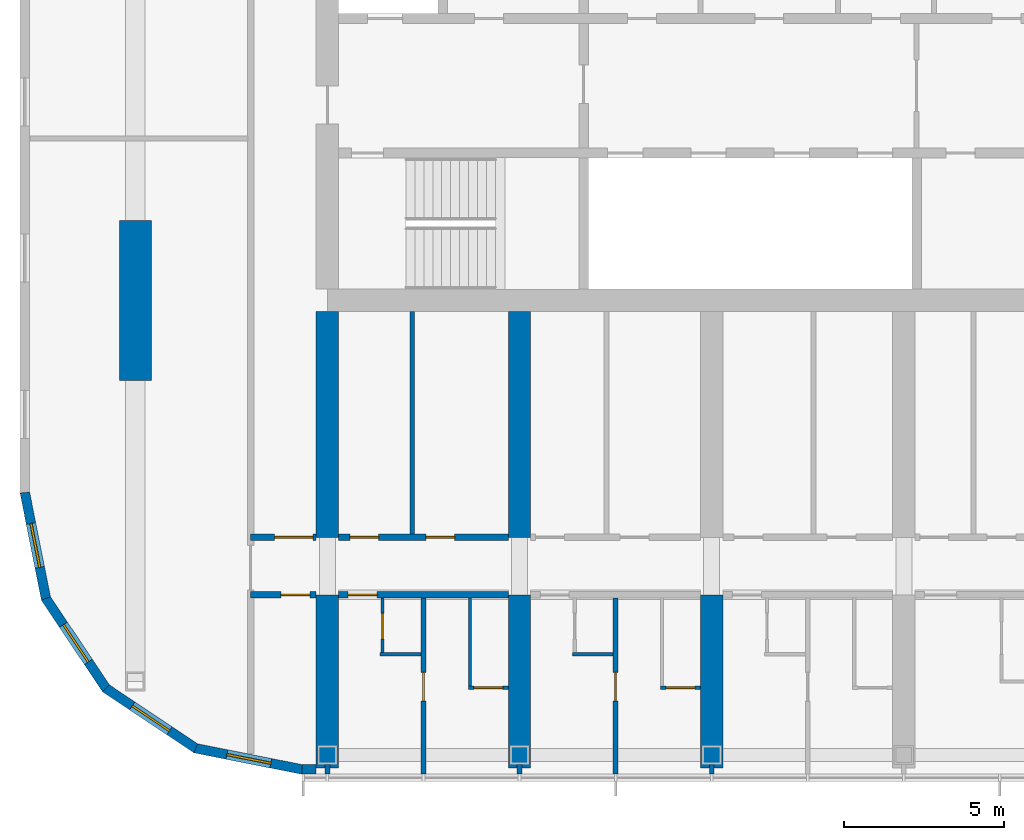
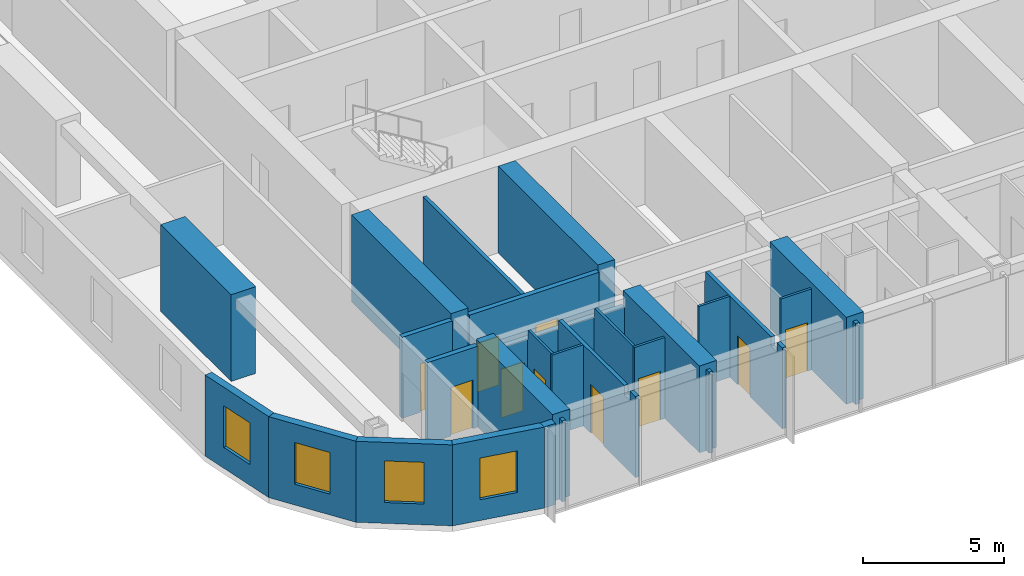
# One storey, part 10 of 24: 27 walls, 10 doors, 4 windows, 14 openings.
"""IFC4 building model written with IfcOpenShell, lengths in metres."""

import ifcopenshell
import ifcopenshell.guid

model = None  # the IFC model being written
_history = None  # IfcOwnerHistory: only IFC2X3 demands one
_inside = {}  # id of a spatial element -> (the spatial element, [elements in it])
_under = {}  # id of a project, library or spatial element -> (it, [spatial elements below it])
_declared = {}  # id of a project -> (the project, [libraries it declares])
_typed = {}  # id of a type object -> (the type object, [elements of that type])
_made_of = {}  # id of a material, layer set ... -> (it, [elements and type objects made of it])


def new_model(schema):
    """Start an empty IFC model of exactly this schema.

    Asked for "IFC4X3", IfcOpenShell would pick the latest addendum, in which some entities
    have other attributes; the version numbers below select the first issue.
    IFC2X3 requires an IfcOwnerHistory on every rooted entity: one is made here for all.
    """
    global model, _history
    if schema == "IFC4X3":
        model = ifcopenshell.file(schema_version=(4, 3, 0, 0))
    else:
        model = ifcopenshell.file(schema=schema)
    _inside.clear()
    _under.clear()
    _declared.clear()
    _typed.clear()
    _made_of.clear()
    _history = None
    if model.schema == "IFC2X3":
        org = make("IfcOrganization", Name="unknown")
        user = make(
            "IfcPersonAndOrganization",
            ThePerson=make("IfcPerson", FamilyName="unknown"),
            TheOrganization=org,
        )
        app = make(
            "IfcApplication",
            ApplicationDeveloper=org,
            Version="unknown",
            ApplicationFullName="unknown",
            ApplicationIdentifier="unknown",
        )
        _history = make(
            "IfcOwnerHistory",
            OwningUser=user,
            OwningApplication=app,
            ChangeAction="ADDED",
            CreationDate=0,
        )
    return model


def make(cls, **values):
    """One entity of the class cls with the attributes given. An attribute that is None is left unset."""
    return model.create_entity(
        cls, **{name: value for name, value in values.items() if value is not None}
    )


def rooted(cls, **values):
    """An entity with a GlobalId (a new one), such as an element, a storey or a relation."""
    return make(cls, GlobalId=ifcopenshell.guid.new(), OwnerHistory=_history, **values)


def si_unit(unit_type, name, prefix=None):
    """IfcSIUnit, for example si_unit("LENGTHUNIT", "METRE", prefix="MILLI")."""
    return make("IfcSIUnit", UnitType=unit_type, Prefix=prefix, Name=name)


def assignment(units):
    """IfcUnitAssignment: the units of a project."""
    return None if units is None else make("IfcUnitAssignment", Units=units)


def point(xyz):
    """IfcCartesianPoint."""
    return None if xyz is None else make("IfcCartesianPoint", Coordinates=xyz)


def direction(xyz):
    """IfcDirection."""
    return None if xyz is None else make("IfcDirection", DirectionRatios=xyz)


def frame(location, z_axis=None, x_axis=None):
    """IfcAxis2Placement3D, a coordinate frame: its origin and axes. An axis left out is left unset."""
    return make(
        "IfcAxis2Placement3D",
        Location=point(location),
        Axis=direction(z_axis),
        RefDirection=direction(x_axis),
    )


def frame_2d(location, x_axis=None):
    """IfcAxis2Placement2D, a coordinate frame in the plane: its origin and x axis."""
    return make(
        "IfcAxis2Placement2D", Location=point(location), RefDirection=direction(x_axis)
    )


def origin():
    """The frame at (0, 0, 0) with its axes left unset."""
    return frame((0.0, 0.0, 0.0))


def place(relative_to, where):
    """IfcLocalPlacement: puts the frame where relative to a parent placement (None: the world)."""
    return make(
        "IfcLocalPlacement", PlacementRelTo=relative_to, RelativePlacement=where
    )


def context(
    kind, dimensions, precision=None, world=None, true_north=None, identifier=None
):
    """IfcGeometricRepresentationContext, for example the 3D "Model" context."""
    return make(
        "IfcGeometricRepresentationContext",
        ContextIdentifier=identifier,
        ContextType=kind,
        CoordinateSpaceDimension=dimensions,
        Precision=precision,
        WorldCoordinateSystem=world,
        TrueNorth=true_north,
    )


def subcontext(parent, identifier, kind, view, scale=None):
    """IfcGeometricRepresentationSubContext, for example "Body" below "Model"."""
    return make(
        "IfcGeometricRepresentationSubContext",
        ContextIdentifier=identifier,
        ContextType=kind,
        ParentContext=parent,
        TargetScale=scale,
        TargetView=view,
    )


def project(units=None, contexts=None):
    """IfcProject with its units and contexts."""
    return rooted(
        "IfcProject",
        Name="project",
        RepresentationContexts=contexts,
        UnitsInContext=assignment(units),
    )


def spatial(cls, under=None, at=None, **own):
    """A site, building, storey or space (cls), placed at a placement, below another one or the project."""
    s = rooted(cls, ObjectPlacement=at, **own)
    if under is not None:
        _under.setdefault(under.id(), (under, []))[1].append(s)
    return s


def polyline(points):
    """IfcPolyline through the points."""
    return make("IfcPolyline", Points=[point(p) for p in points])


def profile(cls, at=None, kind="AREA", **sizes):
    """A parametric profile (cls). Its sizes go by their IFC names, for example OverallWidth=200.0."""
    return make(cls, ProfileType=kind, Position=at, **sizes)


def rectangle(**sizes):
    """IfcRectangleProfileDef."""
    return profile("IfcRectangleProfileDef", **sizes)


def outline(outer, holes=None, kind="AREA"):
    """IfcArbitraryClosedProfileDef: a profile drawn as a closed curve; with holes, ...WithVoids."""
    if holes is None:
        return make("IfcArbitraryClosedProfileDef", ProfileType=kind, OuterCurve=outer)
    return make(
        "IfcArbitraryProfileDefWithVoids",
        ProfileType=kind,
        OuterCurve=outer,
        InnerCurves=holes,
    )


def extrude(swept, where, along, depth):
    """IfcExtrudedAreaSolid: the profile swept, set in the frame where, extruded along a direction by depth."""
    return make(
        "IfcExtrudedAreaSolid",
        SweptArea=swept,
        Position=where,
        ExtrudedDirection=direction(along),
        Depth=depth,
    )


def shape(context_of_items, identifier, shape_type, items):
    """IfcShapeRepresentation: the items that make up one representation, for example the "Body"."""
    return make(
        "IfcShapeRepresentation",
        ContextOfItems=context_of_items,
        RepresentationIdentifier=identifier,
        RepresentationType=shape_type,
        Items=items,
    )


def material(Name=None, Category=None):
    """IfcMaterial."""
    return make("IfcMaterial", Name=Name, Category=Category)


def layer(
    of_material, thickness, ventilated=None, Name=None, Category=None, Priority=None
):
    """IfcMaterialLayer: one layer of a wall or slab, of a material (None: an air gap)."""
    return make(
        "IfcMaterialLayer",
        Material=of_material,
        LayerThickness=thickness,
        IsVentilated=ventilated,
        Name=Name,
        Category=Category,
        Priority=Priority,
    )


def layer_set(layers, Name=None):
    """IfcMaterialLayerSet."""
    return make("IfcMaterialLayerSet", MaterialLayers=layers, LayerSetName=Name)


def made_of(thing, what):
    """Note that an element or type object is made of a material, layer set ...; save() writes the relation."""
    if what is not None:
        _made_of.setdefault(what.id(), (what, []))[1].append(thing)
    return thing


def type_object(cls, material=None, **own):
    """A type object (cls), such as IfcWallType, which elements share."""
    return made_of(rooted(cls, **own), material)


def element(
    cls,
    number,
    at=None,
    inside=None,
    cuts=None,
    type_object=None,
    material=None,
    context=None,
    identifier="Body",
    shape_type=None,
    held_by="IfcProductDefinitionShape",
    body=None,
    shapes=None,
    **own,
):
    """One element of the class cls, such as IfcWall. Its Tag is "e" and its number.

    at: its placement. inside: the storey or other place that contains it. cuts: it is an
    opening in that element (IfcRelVoidsElement). A single representation is given by context,
    identifier, shape_type and body (its items); several are given by shapes. held_by: the class
    of the entity that holds the representations. save() writes the other relations.
    """
    e = rooted(cls, Tag="e%d" % number, ObjectPlacement=at, **own)
    if body is not None:
        shapes = [shape(context, identifier, shape_type, body)]
    if shapes is not None:
        e.Representation = make(held_by, Representations=shapes)
    if inside is not None:
        _inside.setdefault(inside.id(), (inside, []))[1].append(e)
    if cuts is not None:
        rooted(
            "IfcRelVoidsElement", RelatingBuildingElement=cuts, RelatedOpeningElement=e
        )
    if type_object is not None:
        _typed.setdefault(type_object.id(), (type_object, []))[1].append(e)
    return made_of(e, material)


def fill(opening, filler):
    """IfcRelFillsElement: the door or window that sits in an opening."""
    return rooted(
        "IfcRelFillsElement",
        RelatingOpeningElement=opening,
        RelatedBuildingElement=filler,
    )


def aggregate(whole, parts):
    """IfcRelAggregates: a whole, such as a stair, and the parts it consists of."""
    return rooted("IfcRelAggregates", RelatingObject=whole, RelatedObjects=parts)


def save(model, path):
    """Write the relations noted so far, then the file.

    IfcRelAggregates (storeys below a building ...), IfcRelContainedInSpatialStructure (elements
    in a storey), IfcRelDefinesByType, IfcRelAssociatesMaterial and IfcRelDeclares: one each for
    every whole, place, type object, material and project.
    """
    for whole, parts in _under.values():
        aggregate(whole, parts)
    for where, things in _inside.values():
        rooted(
            "IfcRelContainedInSpatialStructure",
            RelatedElements=things,
            RelatingStructure=where,
        )
    for kind, things in _typed.values():
        rooted("IfcRelDefinesByType", RelatedObjects=things, RelatingType=kind)
    for what, things in _made_of.values():
        rooted("IfcRelAssociatesMaterial", RelatedObjects=things, RelatingMaterial=what)
    for by, libraries in _declared.values():
        rooted("IfcRelDeclares", RelatingContext=by, RelatedDefinitions=libraries)
    model.write(path)


model = new_model("IFC4")

# Units and contexts
model_context = context("Model", 3, precision=1e-05, world=origin(), true_north=direction((0.0, 1.0)))
body_context = subcontext(model_context, "Body", "Model", "MODEL_VIEW")
ifc_project = project(units=[si_unit("LENGTHUNIT", "METRE"), si_unit("AREAUNIT", "SQUARE_METRE"), si_unit("VOLUMEUNIT", "CUBIC_METRE"), si_unit("PLANEANGLEUNIT", "RADIAN"), si_unit("MASSUNIT", "GRAM", prefix="KILO")], contexts=[model_context])

# Site, building, storey
site_placement = place(None, origin())
site = spatial("IfcSite", under=ifc_project, at=site_placement, CompositionType="ELEMENT")
building_placement = place(site_placement, origin())
building = spatial("IfcBuilding", under=site, at=building_placement, Name="Orbita Commons", CompositionType="ELEMENT")
storey_placement = place(building_placement, frame((0.0, 0.0, 235.300048828125)))
storey = spatial("IfcBuildingStorey", under=building, at=storey_placement, Name="L58", CompositionType="ELEMENT", Elevation=235.300048828125)

# Wall, opening, door
ifc_material_1 = material(Name="Concrete blockwork", Category="masonry")
ifc_layer_1 = layer(ifc_material_1, 0.199951171875)
ifc_layer_set_1 = layer_set([ifc_layer_1], Name="Concrete blockwork")
wall_type_1 = type_object("IfcWallType", Name="Corridor wall 200 blockwork", PredefinedType="SOLIDWALL", material=ifc_layer_set_1)
wall_1_placement = place(storey_placement, frame((15.60009765625, 16.60009765625, 0.0), z_axis=(0.0, 0.0, 1.0), x_axis=(1.0, 0.0, 0.0)))
wall_1 = element("IfcWall", 1, at=wall_1_placement, inside=storey, type_object=wall_type_1, Name="Corridor wall 200 blockwork L58", PredefinedType="SOLIDWALL", context=body_context, shape_type="SweptSolid", body=[
    extrude(rectangle(XDim=2.0498046875, YDim=0.199951171875, at=frame_2d((1.02490234375, 0.0))), origin(), (0.0, 0.0, 1.0), 3.5),
])
opening_1_placement = place(wall_1_placement, frame((0.949951171875, 0.0, 0.0)))
opening_1 = element("IfcOpeningElement", 2, at=opening_1_placement, cuts=wall_1, Name="Opening D05", PredefinedType="OPENING", context=body_context, shape_type="SweptSolid", body=[
    extrude(rectangle(XDim=0.89990234375, YDim=2.10009765625, at=frame_2d((0.449951171875, 1.050048828125))), frame((0.0, 0.10986328125, 0.0), z_axis=(0.0, -1.0, 0.0), x_axis=(1.0, 0.0, 0.0)), (0.0, 0.0, 1.0), 0.219970703125),
])
ifc_material_2 = material(Name="Steel-faced fire door leaf", Category="steel")
door_type_1 = type_object("IfcDoorType", Name="Service door 20 min 900x2100", OperationType="SINGLE_SWING_LEFT", PredefinedType="DOOR", material=ifc_material_2)
door_1_placement = place(opening_1_placement, origin())
door_1 = element("IfcDoor", 3, at=door_1_placement, inside=storey, type_object=door_type_1, Name="Linen store L58-KWS door", OperationType="SINGLE_SWING_LEFT", OverallHeight=2.10009765625, OverallWidth=0.89990234375, PredefinedType="DOOR", context=body_context, shape_type="SweptSolid", body=[
    extrude(rectangle(XDim=0.89990234375, YDim=2.10009765625, at=frame_2d((0.449951171875, 1.050048828125))), frame((0.0, 0.02490234375, 0.0), z_axis=(0.0, -1.0, 0.0), x_axis=(1.0, 0.0, 0.0)), (0.0, 0.0, 1.0), 0.050048828125),
])
fill(opening_1, door_1)

wall_2_placement = place(storey_placement, frame((18.35009765625, 16.60009765625, 0.0), z_axis=(0.0, 0.0, 1.0), x_axis=(1.0, 0.0, 0.0)))
wall_2 = element("IfcWall", 4, at=wall_2_placement, inside=storey, type_object=wall_type_1, Name="Corridor wall 200 blockwork L58", PredefinedType="SOLIDWALL", context=body_context, shape_type="SweptSolid", body=[
    extrude(outline(polyline([(0.0, 0.0), (5.2998046875, 0.0), (5.300048828125, 3.099853515625), (0.0, 3.099853515625), (0.0, 0.0)])), frame((0.0, 0.10009765625, 0.0), z_axis=(0.0, -1.0, 0.0), x_axis=(1.0, 0.0, 0.0)), (0.0, 0.0, 1.0), 0.199951171875),
])
opening_2_placement = place(wall_2_placement, frame((0.300048828125, 0.0, 0.0)))
opening_2 = element("IfcOpeningElement", 5, at=opening_2_placement, cuts=wall_2, Name="Opening D11", PredefinedType="OPENING", context=body_context, shape_type="SweptSolid", body=[
    extrude(rectangle(XDim=0.89990234375, YDim=2.10009765625, at=frame_2d((0.449951171875, 1.050048828125))), frame((0.0, 0.10986328125, 0.0), z_axis=(0.0, -1.0, 0.0), x_axis=(1.0, 0.0, 0.0)), (0.0, 0.0, 1.0), 0.219970703125),
])
ifc_material_3 = material(Name="Steel-faced fire door leaf", Category="steel")
door_type_2 = type_object("IfcDoorType", Name="Corridor door 20 min 900x2100", OperationType="SINGLE_SWING_LEFT", PredefinedType="DOOR", material=ifc_material_3)
door_2_placement = place(opening_2_placement, origin())
door_2 = element("IfcDoor", 6, at=door_2_placement, inside=storey, type_object=door_type_2, Name="Guest suite sitting room and kitchenette L58-S00 entrance door", OperationType="SINGLE_SWING_LEFT", OverallHeight=2.10009765625, OverallWidth=0.89990234375, PredefinedType="DOOR", context=body_context, shape_type="SweptSolid", body=[
    extrude(rectangle(XDim=0.89990234375, YDim=2.10009765625, at=frame_2d((0.449951171875, 1.050048828125))), frame((0.0, 0.02490234375, 0.0), z_axis=(0.0, -1.0, 0.0), x_axis=(1.0, 0.0, 0.0)), (0.0, 0.0, 1.0), 0.050048828125),
])
fill(opening_2, door_2)

ifc_material_4 = material(Name="Hollow concrete block 200", Category="concrete")
ifc_layer_2 = layer(ifc_material_4, 0.199951171875)
ifc_layer_set_2 = layer_set([ifc_layer_2], Name="Hollow concrete block 200")
wall_type_2 = type_object("IfcWallType", Name="Corridor wall 200 hollow concrete block", PredefinedType="SOLIDWALL", material=ifc_layer_set_2)
wall_3_placement = place(storey_placement, frame((15.60009765625, 18.39990234375, 0.0), z_axis=(0.0, 0.0, 1.0), x_axis=(1.0, 0.0, 0.0)))
wall_3 = element("IfcWall", 7, at=wall_3_placement, inside=storey, type_object=wall_type_2, Name="Corridor wall 200 hollow concrete block L58", PredefinedType="SOLIDWALL", context=body_context, shape_type="SweptSolid", body=[
    extrude(rectangle(XDim=2.0498046875, YDim=0.199951171875, at=frame_2d((1.02490234375, 0.0))), origin(), (0.0, 0.0, 1.0), 3.5),
])
opening_3_placement = place(wall_3_placement, frame((0.75, 0.0, 0.0)))
opening_3 = element("IfcOpeningElement", 8, at=opening_3_placement, cuts=wall_3, Name="Opening D12", PredefinedType="OPENING", context=body_context, shape_type="SweptSolid", body=[
    extrude(rectangle(XDim=1.199951171875, YDim=2.10009765625, at=frame_2d((0.60009765625, 1.050048828125))), frame((0.0, 0.10986328125, 0.0), z_axis=(0.0, -1.0, 0.0), x_axis=(1.0, 0.0, 0.0)), (0.0, 0.0, 1.0), 0.219970703125),
])
ifc_material_5 = material(Name="Steel-faced fire door leaf", Category="steel")
door_type_3 = type_object("IfcDoorType", Name="Double corridor door 20 min 1200x2100", OperationType="DOUBLE_DOOR_SINGLE_SWING", PredefinedType="DOOR", material=ifc_material_5)
door_3_placement = place(opening_3_placement, origin())
door_3 = element("IfcDoor", 9, at=door_3_placement, inside=storey, type_object=door_type_3, Name="Cross corridor doors", OperationType="DOUBLE_DOOR_SINGLE_SWING", OverallHeight=2.10009765625, OverallWidth=1.199951171875, PredefinedType="DOOR", context=body_context, shape_type="SweptSolid", body=[
    extrude(rectangle(XDim=1.199951171875, YDim=2.10009765625, at=frame_2d((0.60009765625, 1.050048828125))), frame((0.0, 0.02490234375, 0.0), z_axis=(0.0, -1.0, 0.0), x_axis=(1.0, 0.0, 0.0)), (0.0, 0.0, 1.0), 0.050048828125),
])
fill(opening_3, door_3)

# Wall, openings, doors
wall_4_placement = place(storey_placement, frame((18.35009765625, 18.39990234375, 0.0), z_axis=(0.0, 0.0, 1.0), x_axis=(1.0, 0.0, 0.0)))
wall_4 = element("IfcWall", 10, at=wall_4_placement, inside=storey, type_object=wall_type_2, Name="Corridor wall 200 hollow concrete block L58", PredefinedType="SOLIDWALL", context=body_context, shape_type="SweptSolid", body=[
    extrude(rectangle(XDim=5.2998046875, YDim=0.199951171875, at=frame_2d((2.64990234375, 0.0))), origin(), (0.0, 0.0, 1.0), 3.5),
])
opening_4_placement = place(wall_4_placement, frame((0.35009765625, 0.0, 0.0)))
opening_4 = element("IfcOpeningElement", 11, at=opening_4_placement, cuts=wall_4, Name="Opening D11", PredefinedType="OPENING", context=body_context, shape_type="SweptSolid", body=[
    extrude(rectangle(XDim=0.89990234375, YDim=2.10009765625, at=frame_2d((0.449951171875, 1.050048828125))), frame((0.0, 0.10986328125, 0.0), z_axis=(0.0, -1.0, 0.0), x_axis=(1.0, 0.0, 0.0)), (0.0, 0.0, 1.0), 0.219970703125),
])
opening_5_placement = place(wall_4_placement, frame((2.72509765625, 0.0, 0.0)))
opening_5 = element("IfcOpeningElement", 12, at=opening_5_placement, cuts=wall_4, Name="Opening D11", PredefinedType="OPENING", context=body_context, shape_type="SweptSolid", body=[
    extrude(rectangle(XDim=0.89990234375, YDim=2.10009765625, at=frame_2d((0.449951171875, 1.050048828125))), frame((0.0, 0.10986328125, 0.0), z_axis=(0.0, -1.0, 0.0), x_axis=(1.0, 0.0, 0.0)), (0.0, 0.0, 1.0), 0.219970703125),
])
door_4_placement = place(opening_4_placement, origin())
door_4 = element("IfcDoor", 13, at=door_4_placement, inside=storey, type_object=door_type_2, Name="Accessible WC and shower room L58-BDS18n door", OperationType="SINGLE_SWING_LEFT", OverallHeight=2.10009765625, OverallWidth=0.89990234375, PredefinedType="DOOR", context=body_context, shape_type="SweptSolid", body=[
    extrude(rectangle(XDim=0.89990234375, YDim=2.10009765625, at=frame_2d((0.449951171875, 1.050048828125))), frame((0.0, 0.02490234375, 0.0), z_axis=(0.0, -1.0, 0.0), x_axis=(1.0, 0.0, 0.0)), (0.0, 0.0, 1.0), 0.050048828125),
])
fill(opening_4, door_4)
door_5_placement = place(opening_5_placement, origin())
door_5 = element("IfcDoor", 14, at=door_5_placement, inside=storey, type_object=door_type_2, Name="Interview room L58-BDS18 door", OperationType="SINGLE_SWING_LEFT", OverallHeight=2.10009765625, OverallWidth=0.89990234375, PredefinedType="DOOR", context=body_context, shape_type="SweptSolid", body=[
    extrude(rectangle(XDim=0.89990234375, YDim=2.10009765625, at=frame_2d((0.449951171875, 1.050048828125))), frame((0.0, 0.02490234375, 0.0), z_axis=(0.0, -1.0, 0.0), x_axis=(1.0, 0.0, 0.0)), (0.0, 0.0, 1.0), 0.050048828125),
])
fill(opening_5, door_5)

# Walls
ifc_material_6 = material(Name="Concrete C50/60", Category="concrete")
ifc_layer_3 = layer(ifc_material_6, 0.699951171875)
ifc_layer_set_3 = layer_set([ifc_layer_3], Name="Concrete C50/60")
wall_type_3 = type_object("IfcWallType", Name="Cross wall 700 C50/60", PredefinedType="SHEAR", material=ifc_layer_set_3)
wall_5_placement = place(storey_placement, frame((18.0, 11.199951171875, 0.0), z_axis=(0.0, 0.0, 1.0), x_axis=(0.0, 1.0, 0.0)))
element("IfcWall", 15, at=wall_5_placement, inside=storey, type_object=wall_type_3, Name="Cross wall 4 south outer L58", PredefinedType="SHEAR", context=body_context, shape_type="SweptSolid", body=[
    extrude(rectangle(XDim=5.400146484375, YDim=0.699951171875, at=frame_2d((2.7001953125, 0.0))), origin(), (0.0, 0.0, 1.0), 3.75),
])
wall_6_placement = place(storey_placement, frame((18.0, 18.39990234375, 0.0), z_axis=(0.0, 0.0, 1.0), x_axis=(0.0, 1.0, 0.0)))
element("IfcWall", 16, at=wall_6_placement, inside=storey, type_object=wall_type_3, Name="Cross wall 4 south inner L58", PredefinedType="SHEAR", context=body_context, shape_type="SweptSolid", body=[
    extrude(rectangle(XDim=7.050048828125, YDim=0.699951171875, at=frame_2d((3.52490234375, 0.0))), origin(), (0.0, 0.0, 1.0), 3.75),
])
wall_7_placement = place(storey_placement, frame((24.0, 11.199951171875, 0.0), z_axis=(0.0, 0.0, 1.0), x_axis=(0.0, 1.0, 0.0)))
element("IfcWall", 17, at=wall_7_placement, inside=storey, type_object=wall_type_3, Name="Cross wall 5 south outer L58", PredefinedType="SHEAR", context=body_context, shape_type="SweptSolid", body=[
    extrude(rectangle(XDim=5.400146484375, YDim=0.699951171875, at=frame_2d((2.7001953125, 0.0))), origin(), (0.0, 0.0, 1.0), 3.75),
])
wall_8_placement = place(storey_placement, frame((24.0, 18.39990234375, 0.0), z_axis=(0.0, 0.0, 1.0), x_axis=(0.0, 1.0, 0.0)))
element("IfcWall", 18, at=wall_8_placement, inside=storey, type_object=wall_type_3, Name="Cross wall 5 south inner L58", PredefinedType="SHEAR", context=body_context, shape_type="SweptSolid", body=[
    extrude(rectangle(XDim=7.050048828125, YDim=0.699951171875, at=frame_2d((3.52490234375, 0.0))), origin(), (0.0, 0.0, 1.0), 3.75),
])
wall_9_placement = place(storey_placement, frame((30.0, 11.199951171875, 0.0), z_axis=(0.0, 0.0, 1.0), x_axis=(0.0, 1.0, 0.0)))
element("IfcWall", 19, at=wall_9_placement, inside=storey, type_object=wall_type_3, Name="Cross wall 6 south outer L58", PredefinedType="SHEAR", context=body_context, shape_type="SweptSolid", body=[
    extrude(rectangle(XDim=5.400146484375, YDim=0.699951171875, at=frame_2d((2.7001953125, 0.0))), origin(), (0.0, 0.0, 1.0), 3.75),
])

# Wall, opening, door
ifc_material_7 = material(Name="Moisture-resistant plasterboard on steel studs", Category="steel")
ifc_layer_4 = layer(ifc_material_7, 0.10009765625)
ifc_layer_set_4 = layer_set([ifc_layer_4], Name="Moisture-resistant plasterboard on steel studs")
wall_type_4 = type_object("IfcWallType", Name="En-suite partition 100", PredefinedType="PARTITIONING", material=ifc_layer_set_4)
wall_10_placement = place(storey_placement, frame((23.64990234375, 13.699951171875, 0.0), z_axis=(0.0, 0.0, 1.0), x_axis=(-1.0, 0.0, 0.0)))
wall_10 = element("IfcWall", 20, at=wall_10_placement, inside=storey, type_object=wall_type_4, Name="En-suite partition 100 L58", PredefinedType="PARTITIONING", context=body_context, shape_type="SweptSolid", body=[
    extrude(rectangle(XDim=1.25, YDim=0.10009765625, at=frame_2d((0.625, 0.0))), origin(), (0.0, 0.0, 1.0), 3.5),
])
opening_6_placement = place(wall_10_placement, frame((0.175048828125, 0.0, 0.0)))
opening_6 = element("IfcOpeningElement", 21, at=opening_6_placement, cuts=wall_10, Name="Opening D09", PredefinedType="OPENING", context=body_context, shape_type="SweptSolid", body=[
    extrude(rectangle(XDim=0.89990234375, YDim=2.10009765625, at=frame_2d((0.449951171875, 1.050048828125))), frame((0.0, 0.06005859375, 0.0), z_axis=(0.0, -1.0, 0.0), x_axis=(1.0, 0.0, 0.0)), (0.0, 0.0, 1.0), 0.1201171875),
])
ifc_material_8 = material(Name="Laminated timber door leaf", Category="wood")
door_type_4 = type_object("IfcDoorType", Name="En-suite door 900x2100", OperationType="SINGLE_SWING_RIGHT", PredefinedType="DOOR", material=ifc_material_8)
door_6_placement = place(opening_6_placement, origin())
door_6 = element("IfcDoor", 22, at=door_6_placement, inside=storey, type_object=door_type_4, Name="En-suite L58-S01 door", OperationType="SINGLE_SWING_RIGHT", OverallHeight=2.10009765625, OverallWidth=0.89990234375, PredefinedType="DOOR", context=body_context, shape_type="SweptSolid", body=[
    extrude(rectangle(XDim=0.89990234375, YDim=2.10009765625, at=frame_2d((0.449951171875, 1.050048828125))), frame((0.0, 0.02490234375, 0.0), z_axis=(0.0, -1.0, 0.0), x_axis=(1.0, 0.0, 0.0)), (0.0, 0.0, 1.0), 0.050048828125),
])
fill(opening_6, door_6)

# Walls
wall_11_placement = place(storey_placement, frame((22.449951171875, 13.75, 0.0), z_axis=(0.0, 0.0, 1.0), x_axis=(0.0, 1.0, 0.0)))
element("IfcWall", 23, at=wall_11_placement, inside=storey, type_object=wall_type_4, Name="En-suite partition 100 L58", PredefinedType="PARTITIONING", context=body_context, shape_type="SweptSolid", body=[
    extrude(outline(polyline([(0.0, 0.0), (2.75, 0.0), (2.75, 3.099853515625), (2.701904296875, 3.099853515625), (2.699951171875, 3.5), (0.0, 3.5), (0.0, 0.0)])), frame((0.0, 0.050048828125, 0.0), z_axis=(0.0, -1.0, 0.0), x_axis=(1.0, 0.0, 0.0)), (0.0, 0.0, 1.0), 0.10009765625),
])
wall_12_placement = place(storey_placement, frame((19.64990234375, 14.75, 0.0), z_axis=(0.0, 0.0, 1.0), x_axis=(1.0, 0.0, 0.0)))
element("IfcWall", 24, at=wall_12_placement, inside=storey, type_object=wall_type_4, Name="En-suite partition 100 L58", PredefinedType="PARTITIONING", context=body_context, shape_type="SweptSolid", body=[
    extrude(rectangle(XDim=1.275146484375, YDim=0.10009765625, at=frame_2d((0.6376953125, 0.0))), origin(), (0.0, 0.0, 1.0), 3.5),
])

# Wall, opening, door
wall_13_placement = place(storey_placement, frame((19.72509765625, 14.75, 0.0), z_axis=(0.0, 0.0, 1.0), x_axis=(0.0, 1.0, 0.0)))
wall_13 = element("IfcWall", 25, at=wall_13_placement, inside=storey, type_object=wall_type_4, Name="En-suite partition 100 L58", PredefinedType="PARTITIONING", context=body_context, shape_type="SweptSolid", body=[
    extrude(outline(polyline([(0.0, 0.0), (1.75, 0.0), (1.75, 3.099853515625), (1.701904296875, 3.099853515625), (1.699951171875, 3.5), (0.0, 3.5), (0.0, 0.0)])), frame((0.0, 0.050048828125, 0.0), z_axis=(0.0, -1.0, 0.0), x_axis=(1.0, 0.0, 0.0)), (0.0, 0.0, 1.0), 0.10009765625),
])
opening_7_placement = place(wall_13_placement, frame((0.47509765625, 0.0, 0.0)))
opening_7 = element("IfcOpeningElement", 26, at=opening_7_placement, cuts=wall_13, Name="Opening D16", PredefinedType="OPENING", context=body_context, shape_type="SweptSolid", body=[
    extrude(rectangle(XDim=0.800048828125, YDim=2.10009765625, at=frame_2d((0.39990234375, 1.050048828125))), frame((0.0, 0.06005859375, 0.0), z_axis=(0.0, -1.0, 0.0), x_axis=(1.0, 0.0, 0.0)), (0.0, 0.0, 1.0), 0.1201171875),
])
ifc_material_9 = material(Name="Laminated timber door leaf", Category="wood")
door_type_5 = type_object("IfcDoorType", Name="En-suite door 800x2100", OperationType="SINGLE_SWING_RIGHT", PredefinedType="DOOR", material=ifc_material_9)
door_7_placement = place(opening_7_placement, origin())
door_7 = element("IfcDoor", 27, at=door_7_placement, inside=storey, type_object=door_type_5, Name="Guest suite WC L58-S00 door", OperationType="SINGLE_SWING_RIGHT", OverallHeight=2.10009765625, OverallWidth=0.800048828125, PredefinedType="DOOR", context=body_context, shape_type="SweptSolid", body=[
    extrude(rectangle(XDim=0.800048828125, YDim=2.10009765625, at=frame_2d((0.39990234375, 1.050048828125))), frame((0.0, 0.02490234375, 0.0), z_axis=(0.0, -1.0, 0.0), x_axis=(1.0, 0.0, 0.0)), (0.0, 0.0, 1.0), 0.050048828125),
])
fill(opening_7, door_7)

wall_14_placement = place(storey_placement, frame((29.64990234375, 13.699951171875, 0.0), z_axis=(0.0, 0.0, 1.0), x_axis=(-1.0, 0.0, 0.0)))
wall_14 = element("IfcWall", 28, at=wall_14_placement, inside=storey, type_object=wall_type_4, Name="En-suite partition 100 L58", PredefinedType="PARTITIONING", context=body_context, shape_type="SweptSolid", body=[
    extrude(rectangle(XDim=1.25, YDim=0.10009765625, at=frame_2d((0.625, 0.0))), origin(), (0.0, 0.0, 1.0), 3.5),
])
opening_8_placement = place(wall_14_placement, frame((0.175048828125, 0.0, 0.0)))
opening_8 = element("IfcOpeningElement", 29, at=opening_8_placement, cuts=wall_14, Name="Opening D09", PredefinedType="OPENING", context=body_context, shape_type="SweptSolid", body=[
    extrude(rectangle(XDim=0.89990234375, YDim=2.10009765625, at=frame_2d((0.449951171875, 1.050048828125))), frame((0.0, 0.06005859375, 0.0), z_axis=(0.0, -1.0, 0.0), x_axis=(1.0, 0.0, 0.0)), (0.0, 0.0, 1.0), 0.1201171875),
])
door_8_placement = place(opening_8_placement, origin())
door_8 = element("IfcDoor", 30, at=door_8_placement, inside=storey, type_object=door_type_4, Name="En-suite L58-S03 door", OperationType="SINGLE_SWING_RIGHT", OverallHeight=2.10009765625, OverallWidth=0.89990234375, PredefinedType="DOOR", context=body_context, shape_type="SweptSolid", body=[
    extrude(rectangle(XDim=0.89990234375, YDim=2.10009765625, at=frame_2d((0.449951171875, 1.050048828125))), frame((0.0, 0.02490234375, 0.0), z_axis=(0.0, -1.0, 0.0), x_axis=(1.0, 0.0, 0.0)), (0.0, 0.0, 1.0), 0.050048828125),
])
fill(opening_8, door_8)

# Walls
wall_15_placement = place(storey_placement, frame((25.64990234375, 14.75, 0.0), z_axis=(0.0, 0.0, 1.0), x_axis=(1.0, 0.0, 0.0)))
element("IfcWall", 31, at=wall_15_placement, inside=storey, type_object=wall_type_4, Name="En-suite partition 100 L58", PredefinedType="PARTITIONING", context=body_context, shape_type="SweptSolid", body=[
    extrude(rectangle(XDim=1.275146484375, YDim=0.10009765625, at=frame_2d((0.6376953125, 0.0))), origin(), (0.0, 0.0, 1.0), 3.5),
])
ifc_material_10 = material(Name="Concrete C50/60", Category="concrete")
ifc_layer_5 = layer(ifc_material_10, 1.0)
ifc_layer_set_5 = layer_set([ifc_layer_5], Name="Concrete C50/60")
wall_type_5 = type_object("IfcWallType", Name="End pier 1000x5000 C50/60", PredefinedType="SHEAR", material=ifc_layer_set_5)
wall_16_placement = place(storey_placement, frame((12.0, 23.300048828125, 0.0), z_axis=(0.0, 0.0, 1.0), x_axis=(0.0, 1.0, 0.0)))
element("IfcWall", 32, at=wall_16_placement, inside=storey, type_object=wall_type_5, Name="End pier 3/C L58", PredefinedType="SHEAR", context=body_context, shape_type="SweptSolid", body=[
    extrude(rectangle(XDim=5.0, YDim=1.0, at=frame_2d((2.5, 0.0))), origin(), (0.0, 0.0, 1.0), 3.75),
])

# Wall, opening, door
ifc_material_11 = material(Name="Gypsum plasterboard on steel studs", Category="steel")
ifc_layer_6 = layer(ifc_material_11, 0.14990234375)
ifc_layer_set_6 = layer_set([ifc_layer_6], Name="Gypsum plasterboard on steel studs")
wall_type_6 = type_object("IfcWallType", Name="Partition 150 plasterboard", PredefinedType="PARTITIONING", material=ifc_layer_set_6)
wall_17_placement = place(storey_placement, frame((21.0, 11.010009765625, 0.0), z_axis=(0.0, 0.0, 1.0), x_axis=(0.0, 1.0, 0.0)))
wall_17 = element("IfcWall", 33, at=wall_17_placement, inside=storey, type_object=wall_type_6, Name="Partition 150 plasterboard L58", PredefinedType="PARTITIONING", context=body_context, shape_type="SweptSolid", body=[
    extrude(outline(polyline([(0.0, 0.0), (5.489990234375, 0.0), (5.489990234375, 3.099853515625), (5.44189453125, 3.099853515625), (5.43994140625, 3.5), (0.7919921875, 3.5), (0.7900390625, 3.099853515625), (0.39208984375, 3.099853515625), (0.389892578125, 3.5), (0.0, 3.5), (0.0, 0.0)])), frame((0.0, 0.074951171875, 0.0), z_axis=(0.0, -1.0, 0.0), x_axis=(1.0, 0.0, 0.0)), (0.0, 0.0, 1.0), 0.14990234375),
])
opening_9_placement = place(wall_17_placement, frame((2.27001953125, 0.0, 0.0)))
opening_9 = element("IfcOpeningElement", 34, at=opening_9_placement, cuts=wall_17, Name="Opening D09", PredefinedType="OPENING", context=body_context, shape_type="SweptSolid", body=[
    extrude(rectangle(XDim=0.89990234375, YDim=2.10009765625, at=frame_2d((0.449951171875, 1.050048828125))), frame((0.0, 0.0849609375, 0.0), z_axis=(0.0, -1.0, 0.0), x_axis=(1.0, 0.0, 0.0)), (0.0, 0.0, 1.0), 0.169921875),
])
door_9_placement = place(opening_9_placement, origin())
door_9 = element("IfcDoor", 35, at=door_9_placement, inside=storey, type_object=door_type_4, Name="Guest suite bedroom L58-S00 door", OperationType="SINGLE_SWING_RIGHT", OverallHeight=2.10009765625, OverallWidth=0.89990234375, PredefinedType="DOOR", context=body_context, shape_type="SweptSolid", body=[
    extrude(rectangle(XDim=0.89990234375, YDim=2.10009765625, at=frame_2d((0.449951171875, 1.050048828125))), frame((0.0, 0.02490234375, 0.0), z_axis=(0.0, -1.0, 0.0), x_axis=(1.0, 0.0, 0.0)), (0.0, 0.0, 1.0), 0.050048828125),
])
fill(opening_9, door_9)

wall_18_placement = place(storey_placement, frame((27.0, 11.010009765625, 0.0), z_axis=(0.0, 0.0, 1.0), x_axis=(0.0, 1.0, 0.0)))
wall_18 = element("IfcWall", 36, at=wall_18_placement, inside=storey, type_object=wall_type_6, Name="Partition 150 plasterboard L58", PredefinedType="PARTITIONING", context=body_context, shape_type="SweptSolid", body=[
    extrude(outline(polyline([(0.0, 0.0), (5.489990234375, 0.0), (5.489990234375, 3.099853515625), (5.44189453125, 3.099853515625), (5.43994140625, 3.5), (0.7919921875, 3.5), (0.7900390625, 3.099853515625), (0.39208984375, 3.099853515625), (0.389892578125, 3.5), (0.0, 3.5), (0.0, 0.0)])), frame((0.0, 0.074951171875, 0.0), z_axis=(0.0, -1.0, 0.0), x_axis=(1.0, 0.0, 0.0)), (0.0, 0.0, 1.0), 0.14990234375),
])
opening_10_placement = place(wall_18_placement, frame((2.27001953125, 0.0, 0.0)))
opening_10 = element("IfcOpeningElement", 37, at=opening_10_placement, cuts=wall_18, Name="Opening D09", PredefinedType="OPENING", context=body_context, shape_type="SweptSolid", body=[
    extrude(rectangle(XDim=0.89990234375, YDim=2.10009765625, at=frame_2d((0.449951171875, 1.050048828125))), frame((0.0, 0.0849609375, 0.0), z_axis=(0.0, -1.0, 0.0), x_axis=(1.0, 0.0, 0.0)), (0.0, 0.0, 1.0), 0.169921875),
])
door_10_placement = place(opening_10_placement, origin())
door_10 = element("IfcDoor", 38, at=door_10_placement, inside=storey, type_object=door_type_4, Name="Guest suite bedroom L58-S02 door", OperationType="SINGLE_SWING_RIGHT", OverallHeight=2.10009765625, OverallWidth=0.89990234375, PredefinedType="DOOR", context=body_context, shape_type="SweptSolid", body=[
    extrude(rectangle(XDim=0.89990234375, YDim=2.10009765625, at=frame_2d((0.449951171875, 1.050048828125))), frame((0.0, 0.02490234375, 0.0), z_axis=(0.0, -1.0, 0.0), x_axis=(1.0, 0.0, 0.0)), (0.0, 0.0, 1.0), 0.050048828125),
])
fill(opening_10, door_10)

# Walls
wall_19_placement = place(storey_placement, frame((20.64990234375, 18.5, 0.0), z_axis=(0.0, 0.0, 1.0), x_axis=(0.0, 1.0, 0.0)))
element("IfcWall", 39, at=wall_19_placement, inside=storey, type_object=wall_type_6, Name="Partition 150 plasterboard L58", PredefinedType="PARTITIONING", context=body_context, shape_type="SweptSolid", body=[
    extrude(rectangle(XDim=6.949951171875, YDim=0.14990234375, at=frame_2d((3.47509765625, 0.0))), origin(), (0.0, 0.0, 1.0), 3.5),
])
for number, where, z_axis, x_axis, name in (
    (40, (18.0, 11.300048828125, 0.0), (0.0, 0.0, 1.0), (0.0, -1.0, 0.0), "Partition 150 plasterboard L58"),
    (41, (24.0, 11.300048828125, 0.0), (0.0, 0.0, 1.0), (0.0, -1.0, 0.0), "Partition 150 plasterboard L58"),
    (42, (30.0, 11.300048828125, 0.0), (0.0, 0.0, 1.0), (0.0, -1.0, 0.0), "Partition 150 plasterboard L58"),
):
    element("IfcWall", number, at=place(storey_placement, frame(where, z_axis=z_axis, x_axis=x_axis)), inside=storey, type_object=wall_type_6, Name=name, PredefinedType="PARTITIONING", context=body_context, shape_type="SweptSolid", body=[
        extrude(rectangle(XDim=0.2900390625, YDim=0.14990234375, at=frame_2d((0.14501953125, 0.0))), origin(), (0.0, 0.0, 1.0), 3.5),
    ])

# Wall, opening, window
ifc_material_12 = material(Name="Precast concrete C40/50, white board-marked finish", Category="concrete")
ifc_layer_7 = layer(ifc_material_12, 0.300048828125)
ifc_layer_set_7 = layer_set([ifc_layer_7], Name="Precast concrete C40/50, white board-marked finish")
wall_type_7 = type_object("IfcWallType", Name="Precast concrete end shield 300", PredefinedType="SOLIDWALL", material=ifc_layer_set_7)
wall_20_placement = place(storey_placement, frame((8.550048828125, 19.800048828125, 0.0), z_axis=(0.0, 0.0, 1.0), x_axis=(0.19508664885, -0.980786011034, 0.0)))
wall_20 = element("IfcWall", 43, at=wall_20_placement, inside=storey, type_object=wall_type_7, Name="End shield SW chord 1 L58", PredefinedType="SOLIDWALL", context=body_context, shape_type="SweptSolid", body=[
    extrude(outline(polyline([(-0.014892578125, -0.14990234375), (3.405029296875, -0.14990234375), (3.345458984375, 0.14990234375), (0.014892578125, 0.14990234375), (-0.014892578125, -0.14990234375)])), origin(), (0.0, 0.0, 1.0), 3.5),
])
opening_11_placement = place(wall_20_placement, frame((0.987548828125, 0.0, 0.89990234375)))
opening_11 = element("IfcOpeningElement", 44, at=opening_11_placement, cuts=wall_20, Name="Opening W02", PredefinedType="OPENING", context=body_context, shape_type="SweptSolid", body=[
    extrude(rectangle(XDim=1.39990234375, YDim=1.800048828125, at=frame_2d((0.699951171875, 0.89990234375))), frame((0.0, 0.159912109375, 0.0), z_axis=(0.0, -1.0, 0.0), x_axis=(1.0, 0.0, 0.0)), (0.0, 0.0, 1.0), 0.320068359375),
])
ifc_material_13 = material(Name="Aluminium frame, clear double glazing", Category="aluminium")
window_type = type_object("IfcWindowType", Name="Deep-set window 1400x1800", PartitioningType="SINGLE_PANEL", PredefinedType="WINDOW", material=ifc_material_13)
window_1_placement = place(opening_11_placement, origin())
window_1 = element("IfcWindow", 45, at=window_1_placement, inside=storey, type_object=window_type, Name="Window L58-SW0", OverallHeight=1.800048828125, OverallWidth=1.39990234375, PartitioningType="SINGLE_PANEL", PredefinedType="WINDOW", context=body_context, shape_type="SweptSolid", body=[
    extrude(rectangle(XDim=1.39990234375, YDim=1.800048828125, at=frame_2d((0.699951171875, 0.89990234375))), frame((0.0, 0.030029296875, 0.0), z_axis=(0.0, -1.0, 0.0), x_axis=(1.0, 0.0, 0.0)), (0.0, 0.0, 1.0), 0.06005859375),
])
fill(opening_11, window_1)

wall_21_placement = place(storey_placement, frame((9.20849609375, 16.48974609375, 0.0), z_axis=(0.0, 0.0, 1.0), x_axis=(0.555567969291, -0.831471124873, 0.0)))
wall_21 = element("IfcWall", 46, at=wall_21_placement, inside=storey, type_object=wall_type_7, Name="End shield SW chord 2 L58", PredefinedType="SOLIDWALL", context=body_context, shape_type="SweptSolid", body=[
    extrude(outline(polyline([(-0.02978515625, -0.14990234375), (3.40478515625, -0.14990234375), (3.34521484375, 0.14990234375), (0.02978515625, 0.14990234375), (-0.02978515625, -0.14990234375)])), origin(), (0.0, 0.0, 1.0), 3.5),
])
opening_12_placement = place(wall_21_placement, frame((0.987548828125, 0.0, 0.89990234375)))
opening_12 = element("IfcOpeningElement", 47, at=opening_12_placement, cuts=wall_21, Name="Opening W02", PredefinedType="OPENING", context=body_context, shape_type="SweptSolid", body=[
    extrude(rectangle(XDim=1.39990234375, YDim=1.800048828125, at=frame_2d((0.699951171875, 0.89990234375))), frame((0.0, 0.159912109375, 0.0), z_axis=(0.0, -1.0, 0.0), x_axis=(1.0, 0.0, 0.0)), (0.0, 0.0, 1.0), 0.320068359375),
])
window_2_placement = place(opening_12_placement, origin())
window_2 = element("IfcWindow", 48, at=window_2_placement, inside=storey, type_object=window_type, Name="Window L58-SW1", OverallHeight=1.800048828125, OverallWidth=1.39990234375, PartitioningType="SINGLE_PANEL", PredefinedType="WINDOW", context=body_context, shape_type="SweptSolid", body=[
    extrude(rectangle(XDim=1.39990234375, YDim=1.800048828125, at=frame_2d((0.699951171875, 0.89990234375))), frame((0.0, 0.030029296875, 0.0), z_axis=(0.0, -1.0, 0.0), x_axis=(1.0, 0.0, 0.0)), (0.0, 0.0, 1.0), 0.06005859375),
])
fill(opening_12, window_2)

wall_22_placement = place(storey_placement, frame((11.08349609375, 13.68359375, 0.0), z_axis=(0.0, 0.0, 1.0), x_axis=(0.831460037396, -0.555584562613, 0.0)))
wall_22 = element("IfcWall", 49, at=wall_22_placement, inside=storey, type_object=wall_type_7, Name="End shield SW chord 3 L58", PredefinedType="SOLIDWALL", context=body_context, shape_type="SweptSolid", body=[
    extrude(outline(polyline([(-0.02978515625, -0.14990234375), (3.405029296875, -0.14990234375), (3.345458984375, 0.14990234375), (0.02978515625, 0.14990234375), (-0.02978515625, -0.14990234375)])), origin(), (0.0, 0.0, 1.0), 3.5),
])
opening_13_placement = place(wall_22_placement, frame((0.987548828125, 0.0, 0.89990234375)))
opening_13 = element("IfcOpeningElement", 50, at=opening_13_placement, cuts=wall_22, Name="Opening W02", PredefinedType="OPENING", context=body_context, shape_type="SweptSolid", body=[
    extrude(rectangle(XDim=1.39990234375, YDim=1.800048828125, at=frame_2d((0.699951171875, 0.89990234375))), frame((0.0, 0.159912109375, 0.0), z_axis=(0.0, -1.0, 0.0), x_axis=(1.0, 0.0, 0.0)), (0.0, 0.0, 1.0), 0.320068359375),
])
window_3_placement = place(opening_13_placement, origin())
window_3 = element("IfcWindow", 51, at=window_3_placement, inside=storey, type_object=window_type, Name="Window L58-SW2", OverallHeight=1.800048828125, OverallWidth=1.39990234375, PartitioningType="SINGLE_PANEL", PredefinedType="WINDOW", context=body_context, shape_type="SweptSolid", body=[
    extrude(rectangle(XDim=1.39990234375, YDim=1.800048828125, at=frame_2d((0.699951171875, 0.89990234375))), frame((0.0, 0.030029296875, 0.0), z_axis=(0.0, -1.0, 0.0), x_axis=(1.0, 0.0, 0.0)), (0.0, 0.0, 1.0), 0.06005859375),
])
fill(opening_13, window_3)

wall_23_placement = place(storey_placement, frame((13.889892578125, 11.808349609375, 0.0), z_axis=(0.0, 0.0, 1.0), x_axis=(0.98078325777, -0.195100490205, 0.0)))
wall_23 = element("IfcWall", 52, at=wall_23_placement, inside=storey, type_object=wall_type_7, Name="End shield SW chord 4 L58", PredefinedType="SOLIDWALL", context=body_context, shape_type="SweptSolid", body=[
    extrude(outline(polyline([(-0.02978515625, -0.14990234375), (3.40478515625, -0.14990234375), (3.34521484375, 0.14990234375), (0.02978515625, 0.14990234375), (-0.02978515625, -0.14990234375)])), origin(), (0.0, 0.0, 1.0), 3.5),
])
opening_14_placement = place(wall_23_placement, frame((0.987548828125, 0.0, 0.89990234375)))
opening_14 = element("IfcOpeningElement", 53, at=opening_14_placement, cuts=wall_23, Name="Opening W02", PredefinedType="OPENING", context=body_context, shape_type="SweptSolid", body=[
    extrude(rectangle(XDim=1.39990234375, YDim=1.800048828125, at=frame_2d((0.699951171875, 0.89990234375))), frame((0.0, 0.159912109375, 0.0), z_axis=(0.0, -1.0, 0.0), x_axis=(1.0, 0.0, 0.0)), (0.0, 0.0, 1.0), 0.320068359375),
])
window_4_placement = place(opening_14_placement, origin())
window_4 = element("IfcWindow", 54, at=window_4_placement, inside=storey, type_object=window_type, Name="Window L58-SW3", OverallHeight=1.800048828125, OverallWidth=1.39990234375, PartitioningType="SINGLE_PANEL", PredefinedType="WINDOW", context=body_context, shape_type="SweptSolid", body=[
    extrude(rectangle(XDim=1.39990234375, YDim=1.800048828125, at=frame_2d((0.699951171875, 0.89990234375))), frame((0.0, 0.030029296875, 0.0), z_axis=(0.0, -1.0, 0.0), x_axis=(1.0, 0.0, 0.0)), (0.0, 0.0, 1.0), 0.06005859375),
])
fill(opening_14, window_4)

# Wall
wall_24_placement = place(storey_placement, frame((17.199951171875, 11.14990234375, 0.0), z_axis=(0.0, 0.0, 1.0), x_axis=(1.0, 0.0, 0.0)))
element("IfcWall", 55, at=wall_24_placement, inside=storey, type_object=wall_type_7, Name="End shield SW closer L58", PredefinedType="SOLIDWALL", context=body_context, shape_type="SweptSolid", body=[
    extrude(rectangle(XDim=0.449951171875, YDim=0.300048828125, at=frame_2d((0.22509765625, 0.0))), origin(), (0.0, 0.0, 1.0), 3.5),
])

save(model, "model.ifc")
